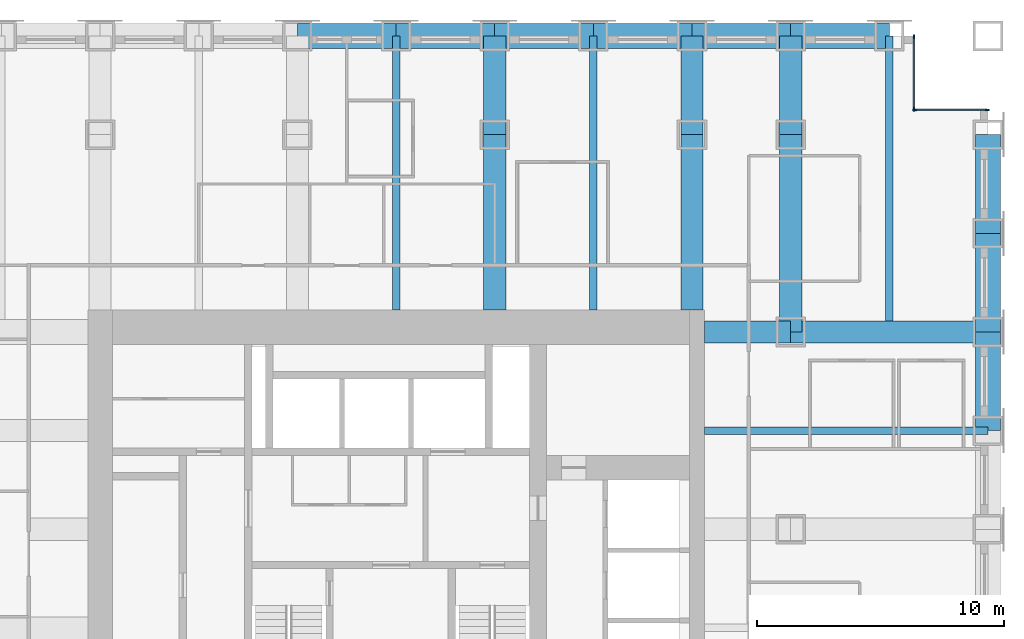
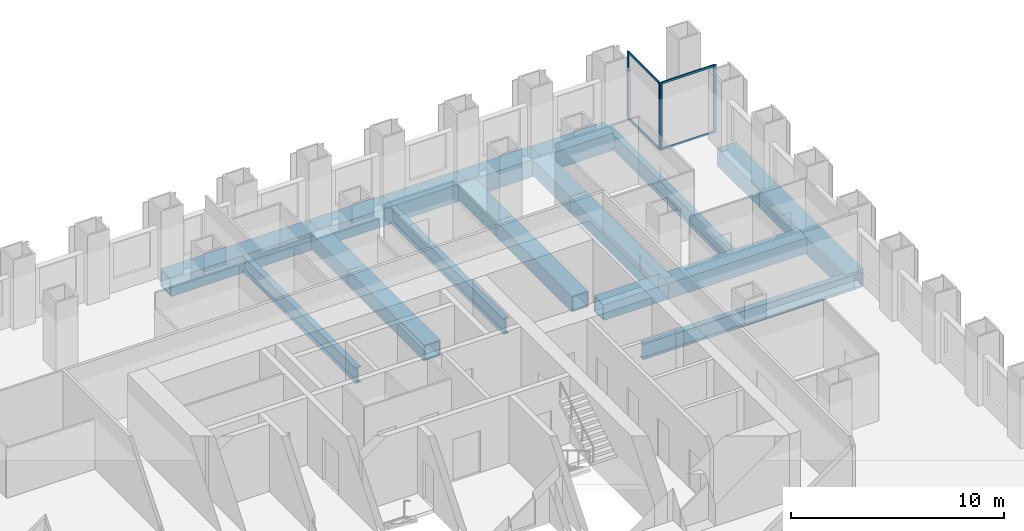
# One storey, part 6 of 14: 21 beams, 8 members, 2 elements without a shape of their own.
"""IFC4 building model written with IfcOpenShell, lengths in metres."""

from ifc_helpers import new_model, si_unit, direction, frame, origin, origin_2d, place, context, subcontext, project, spatial, rectangle, hollow_rectangle, i_section, extrude, material, material_profile, profile_set, type_object, element, aggregate, save


model = new_model("IFC4")

# Units and contexts
model_context = context("Model", 3, precision=1e-05, world=origin(), true_north=direction((0.0, 1.0)))
body_context = subcontext(model_context, "Body", "Model", "MODEL_VIEW")
ifc_project = project(units=[si_unit("LENGTHUNIT", "METRE"), si_unit("AREAUNIT", "SQUARE_METRE"), si_unit("VOLUMEUNIT", "CUBIC_METRE"), si_unit("PLANEANGLEUNIT", "RADIAN"), si_unit("MASSUNIT", "GRAM", prefix="KILO")], contexts=[model_context])

# Site, building, storey
site_placement = place(None, origin())
site = spatial("IfcSite", under=ifc_project, at=site_placement, CompositionType="ELEMENT")
building_placement = place(site_placement, origin())
building = spatial("IfcBuilding", under=site, at=building_placement, Name="Rimbunsela Tower", CompositionType="ELEMENT")
storey_placement = place(building_placement, frame((0.0, 0.0, 51.0)))
storey = spatial("IfcBuildingStorey", under=building, at=storey_placement, Name="L12", CompositionType="ELEMENT", Elevation=51.0)

# Beams
ifc_material_1 = material(Name="Steel BJ 55 (fy 410 MPa)", Category="steel")
ifc_material_profile_1 = material_profile(ifc_material_1, hollow_rectangle(XDim=1.0, YDim=1.0, WallThickness=0.10009765625, at=origin_2d()), Name="BOX 1000x1000x100")
ifc_profile_set_1 = profile_set([ifc_material_profile_1], Name="Steel BJ 55 (fy 410 MPa)")
beam_type_1 = type_object("IfcBeamType", Name="Beam BOX 1000x1000x100", PredefinedType="BEAM", material=ifc_profile_set_1)
for number, where, z_axis, x_axis, name in (
    (1, (26.0, 48.0, -0.64990234375), (1.0, 0.0, 0.0), (0.0, 1.0, 0.0), "Beam B3 L12"),
    (2, (30.0, 48.0, -0.64990234375), (1.0, 0.0, 0.0), (0.0, 1.0, 0.0), "Beam B3 L12"),
    (3, (34.0, 48.0, -0.64990234375), (1.0, 0.0, 0.0), (0.0, 1.0, 0.0), "Beam B3 L12"),
    (4, (38.0, 48.0, -0.64990234375), (1.0, 0.0, 0.0), (0.0, 1.0, 0.0), "Beam B3 L12"),
    (5, (42.0, 48.0, -0.64990234375), (1.0, 0.0, 0.0), (0.0, 1.0, 0.0), "Beam B3 L12"),
    (6, (46.0, 48.0, -0.64990234375), (1.0, 0.0, 0.0), (0.0, 1.0, 0.0), "Beam B3 L12"),
    (7, (54.0, 32.0, -0.64990234375), (0.0, 1.0, 0.0), (-1.0, 0.0, 0.0), "Beam B3 L12"),
    (8, (54.0, 36.0, -0.64990234375), (0.0, 1.0, 0.0), (-1.0, 0.0, 0.0), "Beam B3 L12"),
    (9, (54.0, 40.0, -0.64990234375), (0.0, 1.0, 0.0), (-1.0, 0.0, 0.0), "Beam B3 L12"),
):
    element("IfcBeam", number, at=place(storey_placement, frame(where, z_axis=z_axis, x_axis=x_axis)), inside=storey, type_object=beam_type_1, Name=name, PredefinedType="BEAM", context=body_context, shape_type="SweptSolid", body=[
        extrude(hollow_rectangle(XDim=1.0, YDim=1.0, WallThickness=0.10009765625, at=origin_2d()), origin(), (0.0, 0.0, 1.0), 4.0),
    ])
ifc_material_2 = material(Name="Steel BJ 55 (fy 410 MPa)", Category="steel")
ifc_material_profile_2 = material_profile(ifc_material_2, hollow_rectangle(XDim=0.89990234375, YDim=0.89990234375, WallThickness=0.06005859375, at=origin_2d()), Name="BOX 900x900x60")
ifc_profile_set_2 = profile_set([ifc_material_profile_2], Name="Steel BJ 55 (fy 410 MPa)")
beam_type_2 = type_object("IfcBeamType", Name="Beam BOX 900x900x60", PredefinedType="BEAM", material=ifc_profile_set_2)
beam_1_placement = place(storey_placement, frame((34.0, 36.89990234375, -0.60009765625), z_axis=(0.0, 1.0, 0.0), x_axis=(-1.0, 0.0, 0.0)))
element("IfcBeam", 10, at=beam_1_placement, inside=storey, type_object=beam_type_2, Name="Beam B1 L12", PredefinedType="BEAM", context=body_context, shape_type="SweptSolid", body=[
    extrude(hollow_rectangle(XDim=0.89990234375, YDim=0.89990234375, WallThickness=0.06005859375, at=origin_2d()), origin(), (0.0, 0.0, 1.0), 7.10009765625),
])
beam_2_placement = place(storey_placement, frame((34.0, 44.0, -0.60009765625), z_axis=(0.0, 1.0, 0.0), x_axis=(-1.0, 0.0, 0.0)))
element("IfcBeam", 11, at=beam_2_placement, inside=storey, type_object=beam_type_2, Name="Beam B1 L12", PredefinedType="BEAM", context=body_context, shape_type="SweptSolid", body=[
    extrude(hollow_rectangle(XDim=0.89990234375, YDim=0.89990234375, WallThickness=0.06005859375, at=origin_2d()), origin(), (0.0, 0.0, 1.0), 4.0),
])
beam_3_placement = place(storey_placement, frame((42.0, 36.89990234375, -0.60009765625), z_axis=(0.0, 1.0, 0.0), x_axis=(-1.0, 0.0, 0.0)))
element("IfcBeam", 12, at=beam_3_placement, inside=storey, type_object=beam_type_2, Name="Beam B1 L12", PredefinedType="BEAM", context=body_context, shape_type="SweptSolid", body=[
    extrude(hollow_rectangle(XDim=0.89990234375, YDim=0.89990234375, WallThickness=0.06005859375, at=origin_2d()), origin(), (0.0, 0.0, 1.0), 7.10009765625),
])
beam_4_placement = place(storey_placement, frame((42.0, 44.0, -0.60009765625), z_axis=(0.0, 1.0, 0.0), x_axis=(-1.0, 0.0, 0.0)))
element("IfcBeam", 13, at=beam_4_placement, inside=storey, type_object=beam_type_2, Name="Beam B1 L12", PredefinedType="BEAM", context=body_context, shape_type="SweptSolid", body=[
    extrude(hollow_rectangle(XDim=0.89990234375, YDim=0.89990234375, WallThickness=0.06005859375, at=origin_2d()), origin(), (0.0, 0.0, 1.0), 4.0),
])
beam_5_placement = place(storey_placement, frame((42.5, 36.0, -0.60009765625), z_axis=(1.0, 0.0, 0.0), x_axis=(0.0, 1.0, 0.0)))
element("IfcBeam", 14, at=beam_5_placement, inside=storey, type_object=beam_type_2, Name="Beam B1 L12", PredefinedType="BEAM", context=body_context, shape_type="SweptSolid", body=[
    extrude(hollow_rectangle(XDim=0.89990234375, YDim=0.89990234375, WallThickness=0.06005859375, at=origin_2d()), origin(), (0.0, 0.0, 1.0), 3.5),
])
for number, where, z_axis, x_axis, name in (
    (15, (46.0, 36.0, -0.60009765625), (0.0, 1.0, 0.0), (-1.0, 0.0, 0.0), "Beam B1 L12"),
    (16, (46.0, 36.0, -0.60009765625), (1.0, 0.0, 0.0), (0.0, 1.0, 0.0), "Beam B1 L12"),
):
    element("IfcBeam", number, at=place(storey_placement, frame(where, z_axis=z_axis, x_axis=x_axis)), inside=storey, type_object=beam_type_2, Name=name, PredefinedType="BEAM", context=body_context, shape_type="SweptSolid", body=[
        extrude(hollow_rectangle(XDim=0.89990234375, YDim=0.89990234375, WallThickness=0.06005859375, at=origin_2d()), origin(), (0.0, 0.0, 1.0), 8.0),
    ])
beam_6_placement = place(storey_placement, frame((46.0, 44.0, -0.60009765625), z_axis=(0.0, 1.0, 0.0), x_axis=(-1.0, 0.0, 0.0)))
element("IfcBeam", 17, at=beam_6_placement, inside=storey, type_object=beam_type_2, Name="Beam B1 L12", PredefinedType="BEAM", context=body_context, shape_type="SweptSolid", body=[
    extrude(hollow_rectangle(XDim=0.89990234375, YDim=0.89990234375, WallThickness=0.06005859375, at=origin_2d()), origin(), (0.0, 0.0, 1.0), 4.0),
])
ifc_material_3 = material(Name="Steel BJ 55 (fy 410 MPa)", Category="steel")
ifc_material_profile_3 = material_profile(ifc_material_3, i_section(OverallWidth=0.300048828125, OverallDepth=0.89990234375, WebThickness=0.01611328125, FlangeThickness=0.028076171875, FilletRadius=0.028076171875, at=origin_2d()), Name="H 900x300x16x28")
ifc_profile_set_3 = profile_set([ifc_material_profile_3], Name="Steel BJ 55 (fy 410 MPa)")
beam_type_3 = type_object("IfcBeamType", Name="Beam H 900x300x16x28", PredefinedType="BEAM", material=ifc_profile_set_3)
for number, where, z_axis, x_axis, name in (
    (18, (30.0, 36.89990234375, -0.60009765625), (0.0, 1.0, 0.0), (-1.0, 0.0, 0.0), "Beam B2 L12"),
    (19, (38.0, 36.89990234375, -0.60009765625), (0.0, 1.0, 0.0), (-1.0, 0.0, 0.0), "Beam B2 L12"),
):
    element("IfcBeam", number, at=place(storey_placement, frame(where, z_axis=z_axis, x_axis=x_axis)), inside=storey, type_object=beam_type_3, Name=name, PredefinedType="BEAM", context=body_context, shape_type="SweptSolid", body=[
        extrude(i_section(OverallWidth=0.300048828125, OverallDepth=0.89990234375, WebThickness=0.01611328125, FlangeThickness=0.028076171875, FilletRadius=0.028076171875, at=origin_2d()), origin(), (0.0, 0.0, 1.0), 11.10009765625),
    ])
beam_7_placement = place(storey_placement, frame((42.5, 32.0, -0.60009765625), z_axis=(1.0, 0.0, 0.0), x_axis=(0.0, 1.0, 0.0)))
element("IfcBeam", 20, at=beam_7_placement, inside=storey, type_object=beam_type_3, Name="Beam B2 L12", PredefinedType="BEAM", context=body_context, shape_type="SweptSolid", body=[
    extrude(i_section(OverallWidth=0.300048828125, OverallDepth=0.89990234375, WebThickness=0.01611328125, FlangeThickness=0.028076171875, FilletRadius=0.028076171875, at=origin_2d()), origin(), (0.0, 0.0, 1.0), 11.5),
])
beam_8_placement = place(storey_placement, frame((50.0, 36.449951171875, -0.60009765625), z_axis=(0.0, 1.0, 0.0), x_axis=(-1.0, 0.0, 0.0)))
element("IfcBeam", 21, at=beam_8_placement, inside=storey, type_object=beam_type_3, Name="Beam B2 L12", PredefinedType="BEAM", context=body_context, shape_type="SweptSolid", body=[
    extrude(i_section(OverallWidth=0.300048828125, OverallDepth=0.89990234375, WebThickness=0.01611328125, FlangeThickness=0.028076171875, FilletRadius=0.028076171875, at=origin_2d()), origin(), (0.0, 0.0, 1.0), 11.550048828125),
])

# Curtain wall, members
ifc_material_4 = material(Name="Aluminium curtain wall", Category="aluminium")
curtain_wall_type = type_object("IfcCurtainWallType", Name="Corner glazing", PredefinedType="USERDEFINED", material=ifc_material_4)
curtain_wall_1_placement = place(storey_placement, origin())
curtain_wall_1 = element("IfcCurtainWall", 22, at=curtain_wall_1_placement, inside=storey, type_object=curtain_wall_type, Name="Corner glazing L12", ObjectType="CORNER GLAZING", PredefinedType="USERDEFINED")
ifc_material_5 = material(Name="Aluminium mullion", Category="aluminium")
ifc_material_profile_4 = material_profile(ifc_material_5, rectangle(XDim=0.06005859375, YDim=0.159912109375, at=origin_2d()), Name="Mullion 60x160")
ifc_profile_set_4 = profile_set([ifc_material_profile_4], Name="Aluminium mullion")
member_type_1 = type_object("IfcMemberType", Name="Curtain wall mullion 60x160", PredefinedType="MULLION", material=ifc_profile_set_4)
member_1_placement = place(storey_placement, frame((53.969970703125, 45.0, 0.0), z_axis=(0.0, 0.0, 1.0), x_axis=(0.0, -1.0, 0.0)))
member_1 = element("IfcMember", 23, at=member_1_placement, type_object=member_type_1, Name="CW5 mullion 1", PredefinedType="MULLION", context=body_context, shape_type="SweptSolid", body=[
    extrude(rectangle(XDim=0.06005859375, YDim=0.159912109375, at=origin_2d()), origin(), (0.0, 0.0, 1.0), 3.85009765625),
])
member_2_placement = place(storey_placement, frame((51.030029296875, 45.0, 0.0), z_axis=(0.0, 0.0, 1.0), x_axis=(0.0, -1.0, 0.0)))
member_2 = element("IfcMember", 24, at=member_2_placement, type_object=member_type_1, Name="CW5 mullion 2", PredefinedType="MULLION", context=body_context, shape_type="SweptSolid", body=[
    extrude(rectangle(XDim=0.06005859375, YDim=0.159912109375, at=origin_2d()), origin(), (0.0, 0.0, 1.0), 3.85009765625),
])

curtain_wall_2_placement = place(storey_placement, origin())
curtain_wall_2 = element("IfcCurtainWall", 25, at=curtain_wall_2_placement, inside=storey, type_object=curtain_wall_type, Name="Corner glazing L12", ObjectType="CORNER GLAZING", PredefinedType="USERDEFINED")
member_3_placement = place(storey_placement, frame((51.0, 45.030029296875, 0.0), z_axis=(0.0, 0.0, 1.0), x_axis=(-1.0, 0.0, 0.0)))
member_3 = element("IfcMember", 26, at=member_3_placement, type_object=member_type_1, Name="CW5 mullion 1", PredefinedType="MULLION", context=body_context, shape_type="SweptSolid", body=[
    extrude(rectangle(XDim=0.06005859375, YDim=0.159912109375, at=origin_2d()), origin(), (0.0, 0.0, 1.0), 3.85009765625),
])
member_4_placement = place(storey_placement, frame((51.0, 47.969970703125, 0.0), z_axis=(0.0, 0.0, 1.0), x_axis=(-1.0, 0.0, 0.0)))
member_4 = element("IfcMember", 27, at=member_4_placement, type_object=member_type_1, Name="CW5 mullion 2", PredefinedType="MULLION", context=body_context, shape_type="SweptSolid", body=[
    extrude(rectangle(XDim=0.06005859375, YDim=0.159912109375, at=origin_2d()), origin(), (0.0, 0.0, 1.0), 3.85009765625),
])

# Member
ifc_material_6 = material(Name="Aluminium transom", Category="aluminium")
ifc_material_profile_5 = material_profile(ifc_material_6, rectangle(XDim=0.06005859375, YDim=0.1201171875, at=origin_2d()), Name="Transom 60x120")
ifc_profile_set_5 = profile_set([ifc_material_profile_5], Name="Aluminium transom")
member_type_2 = type_object("IfcMemberType", Name="Curtain wall transom 60x120", PredefinedType="USERDEFINED", material=ifc_profile_set_5)
member_5_placement = place(storey_placement, frame((53.93994140625, 45.0, 0.030029296875), z_axis=(-1.0, 0.0, 0.0), x_axis=(0.0, -1.0, 0.0)))
member_5 = element("IfcMember", 28, at=member_5_placement, type_object=member_type_2, Name="CW5 transom 1.1", ObjectType="TRANSOM", PredefinedType="USERDEFINED", context=body_context, shape_type="SweptSolid", body=[
    extrude(rectangle(XDim=0.06005859375, YDim=0.1201171875, at=origin_2d()), origin(), (0.0, 0.0, 1.0), 2.8798828125),
])

member_6_placement = place(storey_placement, frame((53.93994140625, 45.0, 3.820068359375), z_axis=(-1.0, 0.0, 0.0), x_axis=(0.0, -1.0, 0.0)))
member_6 = element("IfcMember", 29, at=member_6_placement, type_object=member_type_2, Name="CW5 transom 1.2", ObjectType="TRANSOM", PredefinedType="USERDEFINED", context=body_context, shape_type="SweptSolid", body=[
    extrude(rectangle(XDim=0.06005859375, YDim=0.1201171875, at=origin_2d()), origin(), (0.0, 0.0, 1.0), 2.8798828125),
])

aggregate(curtain_wall_1, [member_1, member_2, member_5, member_6])

member_7_placement = place(storey_placement, frame((51.0, 45.06005859375, 0.030029296875), z_axis=(0.0, 1.0, 0.0), x_axis=(-1.0, 0.0, 0.0)))
member_7 = element("IfcMember", 30, at=member_7_placement, type_object=member_type_2, Name="CW5 transom 1.1", ObjectType="TRANSOM", PredefinedType="USERDEFINED", context=body_context, shape_type="SweptSolid", body=[
    extrude(rectangle(XDim=0.06005859375, YDim=0.1201171875, at=origin_2d()), origin(), (0.0, 0.0, 1.0), 2.8798828125),
])

member_8_placement = place(storey_placement, frame((51.0, 45.06005859375, 3.820068359375), z_axis=(0.0, 1.0, 0.0), x_axis=(-1.0, 0.0, 0.0)))
member_8 = element("IfcMember", 31, at=member_8_placement, type_object=member_type_2, Name="CW5 transom 1.2", ObjectType="TRANSOM", PredefinedType="USERDEFINED", context=body_context, shape_type="SweptSolid", body=[
    extrude(rectangle(XDim=0.06005859375, YDim=0.1201171875, at=origin_2d()), origin(), (0.0, 0.0, 1.0), 2.8798828125),
])

aggregate(curtain_wall_2, [member_3, member_4, member_7, member_8])

save(model, "model.ifc")
